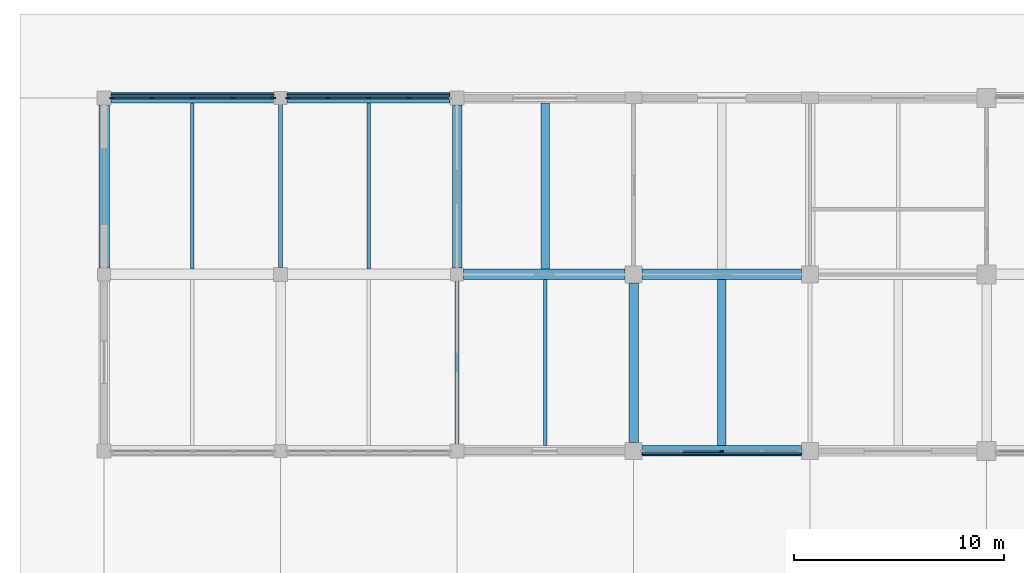
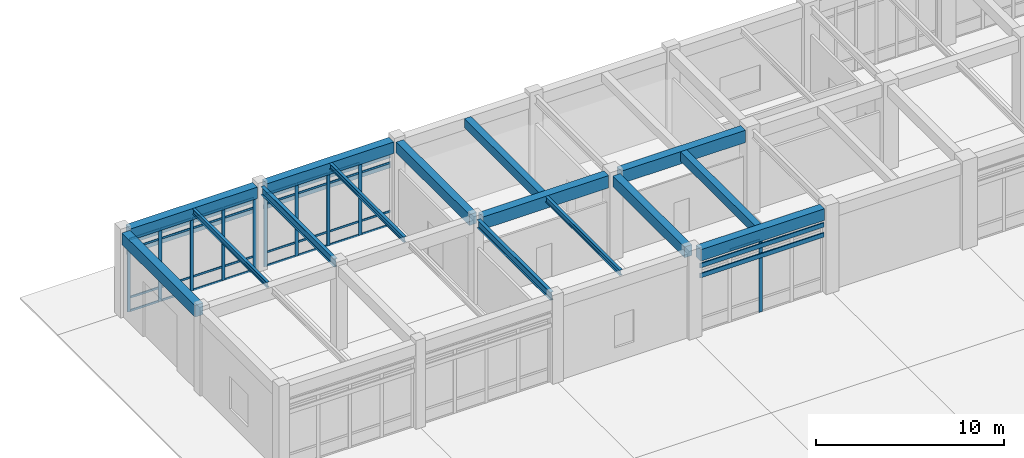
# One storey, part 20 of 91: 48 members, 15 beams, 3 elements without a shape of their own.
"""IFC4 building model written with IfcOpenShell, lengths in metres."""

from ifc_helpers import new_model, si_unit, direction, frame, origin, origin_2d, place, context, subcontext, project, spatial, rectangle, i_section, extrude, material, layer, layer_set, material_profile, profile_set, type_object, element, aggregate, save


model = new_model("IFC4")

# Units and contexts
model_context = context("Model", 3, precision=1e-05, world=origin(), true_north=direction((0.0, 1.0)))
body_context = subcontext(model_context, "Body", "Model", "MODEL_VIEW")
ifc_project = project(units=[si_unit("LENGTHUNIT", "METRE"), si_unit("AREAUNIT", "SQUARE_METRE"), si_unit("VOLUMEUNIT", "CUBIC_METRE"), si_unit("PLANEANGLEUNIT", "RADIAN"), si_unit("MASSUNIT", "GRAM", prefix="KILO")], contexts=[model_context])

# Site, building, storey
site_placement = place(None, origin())
site = spatial("IfcSite", under=ifc_project, at=site_placement, CompositionType="ELEMENT")
building_placement = place(site_placement, origin())
building = spatial("IfcBuilding", under=site, at=building_placement, Name="Porcellanite Civic Hall", CompositionType="ELEMENT")
storey_placement = place(building_placement, origin())
storey = spatial("IfcBuildingStorey", under=building, at=storey_placement, Name="L00", CompositionType="ELEMENT", Elevation=0.0)

# Beams
ifc_material_1 = material(Name="Concrete N50 (50 MPa)", Category="concrete")
ifc_material_profile_1 = material_profile(ifc_material_1, rectangle(XDim=0.39990234375, YDim=0.60009765625, at=origin_2d()), Name="RC-400x600")
ifc_profile_set_1 = profile_set([ifc_material_profile_1], Name="Concrete N50 (50 MPa)")
beam_type_1 = type_object("IfcBeamType", Name="BM-RC600", PredefinedType="JOIST", material=ifc_profile_set_1)
beam_1_placement = place(storey_placement, frame((21.0, 109.449462890625, 5.199951171875), z_axis=(0.0, 1.0, 0.0), x_axis=(-1.0, 0.0, 0.0)))
element("IfcBeam", 1, at=beam_1_placement, inside=storey, type_object=beam_type_1, Name="Secondary joist L00 3-14", PredefinedType="JOIST", context=body_context, shape_type="SweptSolid", body=[
    extrude(rectangle(XDim=0.39990234375, YDim=0.60009765625, at=origin_2d()), origin(), (0.0, 0.0, 1.0), 7.901123046875),
])
beam_2_placement = place(storey_placement, frame((29.39990234375, 101.049560546875, 5.199951171875), z_axis=(0.0, 1.0, 0.0), x_axis=(-1.0, 0.0, 0.0)))
element("IfcBeam", 2, at=beam_2_placement, inside=storey, type_object=beam_type_1, Name="Secondary joist L00 4-13", PredefinedType="JOIST", context=body_context, shape_type="SweptSolid", body=[
    extrude(rectangle(XDim=0.39990234375, YDim=0.60009765625, at=origin_2d()), origin(), (0.0, 0.0, 1.0), 7.90087890625),
])
ifc_material_2 = material(Name="Concrete N50 (50 MPa)", Category="concrete")
ifc_material_profile_2 = material_profile(ifc_material_2, rectangle(XDim=0.449951171875, YDim=0.699951171875, at=origin_2d()), Name="RC-450x700")
ifc_profile_set_2 = profile_set([ifc_material_profile_2], Name="Concrete N50 (50 MPa)")
beam_type_2 = type_object("IfcBeamType", Name="BM-RC700", PredefinedType="BEAM", material=ifc_profile_set_2)
beam_3_placement = place(storey_placement, frame((16.800048828125, 109.49951171875, 5.14990234375), z_axis=(0.0, 1.0, 0.0), x_axis=(-1.0, 0.0, 0.0)))
element("IfcBeam", 3, at=beam_3_placement, inside=storey, type_object=beam_type_2, Name="Beam Y L00 3-14", PredefinedType="BEAM", context=body_context, shape_type="SweptSolid", body=[
    extrude(rectangle(XDim=0.449951171875, YDim=0.699951171875, at=origin_2d()), origin(), (0.0, 0.0, 1.0), 7.77587890625),
])
beam_4_placement = place(storey_placement, frame((25.199951171875, 101.199462890625, 5.14990234375), z_axis=(0.0, 1.0, 0.0), x_axis=(-1.0, 0.0, 0.0)))
element("IfcBeam", 4, at=beam_4_placement, inside=storey, type_object=beam_type_2, Name="Beam Y L00 4-13", PredefinedType="BEAM", context=body_context, shape_type="SweptSolid", body=[
    extrude(rectangle(XDim=0.449951171875, YDim=0.699951171875, at=origin_2d()), origin(), (0.0, 0.0, 1.0), 7.60107421875),
])
ifc_material_3 = material(Name="Concrete N50 (50 MPa)", Category="concrete")
ifc_material_profile_3 = material_profile(ifc_material_3, rectangle(XDim=0.5, YDim=0.75, at=origin_2d()), Name="RC-500x750")
ifc_profile_set_3 = profile_set([ifc_material_profile_3], Name="Concrete N50 (50 MPa)")
beam_type_3 = type_object("IfcBeamType", Name="BM-RC750", PredefinedType="SPANDREL", material=ifc_profile_set_3)
for number, where, z_axis, x_axis, name in (
    (5, (0.324462890625, 117.60009765625, 5.125), (1.0, 0.0, 0.0), (0.0, 1.0, 0.0), "Beam X L00 1-15"),
    (6, (8.699462890625, 117.60009765625, 5.125), (1.0, 0.0, 0.0), (0.0, 1.0, 0.0), "Beam X L00 2-15"),
):
    element("IfcBeam", number, at=place(storey_placement, frame(where, z_axis=z_axis, x_axis=x_axis)), inside=storey, type_object=beam_type_3, Name=name, PredefinedType="SPANDREL", context=body_context, shape_type="SweptSolid", body=[
        extrude(rectangle(XDim=0.5, YDim=0.75, at=origin_2d()), origin(), (0.0, 0.0, 1.0), 7.776123046875),
    ])
beam_5_placement = place(storey_placement, frame((25.599609375, 100.800048828125, 5.125), z_axis=(1.0, 0.0, 0.0), x_axis=(0.0, 1.0, 0.0)))
element("IfcBeam", 7, at=beam_5_placement, inside=storey, type_object=beam_type_3, Name="Beam X L00 4-13", PredefinedType="SPANDREL", context=body_context, shape_type="SweptSolid", body=[
    extrude(rectangle(XDim=0.5, YDim=0.75, at=origin_2d()), origin(), (0.0, 0.0, 1.0), 7.600830078125),
])
beam_6_placement = place(storey_placement, frame((0.0, 109.49951171875, 5.125), z_axis=(0.0, 1.0, 0.0), x_axis=(-1.0, 0.0, 0.0)))
element("IfcBeam", 8, at=beam_6_placement, inside=storey, type_object=beam_type_3, Name="Beam Y L00 1-14", PredefinedType="SPANDREL", context=body_context, shape_type="SweptSolid", body=[
    extrude(rectangle(XDim=0.5, YDim=0.75, at=origin_2d()), origin(), (0.0, 0.0, 1.0), 7.77587890625),
])
ifc_material_4 = material(Name="Concrete N50 (50 MPa)", Category="concrete")
ifc_material_profile_4 = material_profile(ifc_material_4, rectangle(XDim=0.5, YDim=0.800048828125, at=origin_2d()), Name="RC-500x800")
ifc_profile_set_4 = profile_set([ifc_material_profile_4], Name="Concrete N50 (50 MPa)")
beam_type_4 = type_object("IfcBeamType", Name="BM-RC800", PredefinedType="BEAM", material=ifc_profile_set_4)
beam_7_placement = place(storey_placement, frame((17.099609375, 109.199951171875, 5.10009765625), z_axis=(1.0, 0.0, 0.0), x_axis=(0.0, 1.0, 0.0)))
element("IfcBeam", 9, at=beam_7_placement, inside=storey, type_object=beam_type_4, Name="Beam X L00 3-14", PredefinedType="BEAM", context=body_context, shape_type="SweptSolid", body=[
    extrude(rectangle(XDim=0.5, YDim=0.800048828125, at=origin_2d()), origin(), (0.0, 0.0, 1.0), 7.700927734375),
])
beam_8_placement = place(storey_placement, frame((25.599609375, 109.199951171875, 5.10009765625), z_axis=(1.0, 0.0, 0.0), x_axis=(0.0, 1.0, 0.0)))
element("IfcBeam", 10, at=beam_8_placement, inside=storey, type_object=beam_type_4, Name="Beam X L00 4-14", PredefinedType="BEAM", context=body_context, shape_type="SweptSolid", body=[
    extrude(rectangle(XDim=0.5, YDim=0.800048828125, at=origin_2d()), origin(), (0.0, 0.0, 1.0), 7.600830078125),
])

# Curtain wall, members
ifc_material_5 = material(Name="Anodised aluminium and solar laminated glass", Category="aluminium")
ifc_layer = layer(ifc_material_5, 0.179931640625)
ifc_layer_set = layer_set([ifc_layer], Name="Anodised aluminium and solar laminated glass")
curtain_wall_type = type_object("IfcCurtainWallType", Name="CW-SYS05", PredefinedType="NOTDEFINED", material=ifc_layer_set)
curtain_wall_1_placement = place(storey_placement, origin())
curtain_wall_1 = element("IfcCurtainWall", 11, at=curtain_wall_1_placement, inside=storey, type_object=curtain_wall_type, Name="Curtain wall CW-006", PredefinedType="NOTDEFINED")
ifc_material_6 = material(Name="Anodised aluminium 6063-T6", Category="aluminium")
ifc_material_profile_5 = material_profile(ifc_material_6, rectangle(XDim=0.070068359375, YDim=0.199951171875, at=origin_2d()), Name="AL-70x200")
ifc_profile_set_5 = profile_set([ifc_material_profile_5], Name="Anodised aluminium 6063-T6")
member_type_1 = type_object("IfcMemberType", Name="CWM-05", PredefinedType="MULLION", material=ifc_profile_set_5)
member_1_placement = place(storey_placement, frame((0.361083984375, 117.60009765625, 0.0), z_axis=(0.0, 0.0, 1.0), x_axis=(0.0, 1.0, 0.0)))
member_1 = element("IfcMember", 12, at=member_1_placement, type_object=member_type_1, Name="CW-006 mullion 1", PredefinedType="MULLION", context=body_context, shape_type="SweptSolid", body=[
    extrude(rectangle(XDim=0.070068359375, YDim=0.199951171875, at=origin_2d()), origin(), (0.0, 0.0, 1.0), 4.699951171875),
])
member_2_placement = place(storey_placement, frame((2.269287109375, 117.60009765625, 0.0), z_axis=(0.0, 0.0, 1.0), x_axis=(0.0, 1.0, 0.0)))
member_2 = element("IfcMember", 13, at=member_2_placement, type_object=member_type_1, Name="CW-006 mullion 2", PredefinedType="MULLION", context=body_context, shape_type="SweptSolid", body=[
    extrude(rectangle(XDim=0.070068359375, YDim=0.199951171875, at=origin_2d()), origin(), (0.0, 0.0, 1.0), 4.699951171875),
])
member_3_placement = place(storey_placement, frame((4.21240234375, 117.60009765625, 0.0), z_axis=(0.0, 0.0, 1.0), x_axis=(0.0, 1.0, 0.0)))
member_3 = element("IfcMember", 14, at=member_3_placement, type_object=member_type_1, Name="CW-006 mullion 3", PredefinedType="MULLION", context=body_context, shape_type="SweptSolid", body=[
    extrude(rectangle(XDim=0.070068359375, YDim=0.199951171875, at=origin_2d()), origin(), (0.0, 0.0, 1.0), 4.699951171875),
])
member_4_placement = place(storey_placement, frame((6.15576171875, 117.60009765625, 0.0), z_axis=(0.0, 0.0, 1.0), x_axis=(0.0, 1.0, 0.0)))
member_4 = element("IfcMember", 15, at=member_4_placement, type_object=member_type_1, Name="CW-006 mullion 4", PredefinedType="MULLION", context=body_context, shape_type="SweptSolid", body=[
    extrude(rectangle(XDim=0.070068359375, YDim=0.199951171875, at=origin_2d()), origin(), (0.0, 0.0, 1.0), 4.699951171875),
])
member_5_placement = place(storey_placement, frame((8.06396484375, 117.60009765625, 0.0), z_axis=(0.0, 0.0, 1.0), x_axis=(0.0, 1.0, 0.0)))
member_5 = element("IfcMember", 16, at=member_5_placement, type_object=member_type_1, Name="CW-006 mullion 5", PredefinedType="MULLION", context=body_context, shape_type="SweptSolid", body=[
    extrude(rectangle(XDim=0.070068359375, YDim=0.199951171875, at=origin_2d()), origin(), (0.0, 0.0, 1.0), 4.699951171875),
])

curtain_wall_2_placement = place(storey_placement, origin())
curtain_wall_2 = element("IfcCurtainWall", 17, at=curtain_wall_2_placement, inside=storey, type_object=curtain_wall_type, Name="Curtain wall CW-009", PredefinedType="NOTDEFINED")
member_6_placement = place(storey_placement, frame((8.736083984375, 117.60009765625, 0.0), z_axis=(0.0, 0.0, 1.0), x_axis=(0.0, 1.0, 0.0)))
member_6 = element("IfcMember", 18, at=member_6_placement, type_object=member_type_1, Name="CW-009 mullion 1", PredefinedType="MULLION", context=body_context, shape_type="SweptSolid", body=[
    extrude(rectangle(XDim=0.070068359375, YDim=0.199951171875, at=origin_2d()), origin(), (0.0, 0.0, 1.0), 4.699951171875),
])
member_7_placement = place(storey_placement, frame((10.644287109375, 117.60009765625, 0.0), z_axis=(0.0, 0.0, 1.0), x_axis=(0.0, 1.0, 0.0)))
member_7 = element("IfcMember", 19, at=member_7_placement, type_object=member_type_1, Name="CW-009 mullion 2", PredefinedType="MULLION", context=body_context, shape_type="SweptSolid", body=[
    extrude(rectangle(XDim=0.070068359375, YDim=0.199951171875, at=origin_2d()), origin(), (0.0, 0.0, 1.0), 4.699951171875),
])
member_8_placement = place(storey_placement, frame((12.58740234375, 117.60009765625, 0.0), z_axis=(0.0, 0.0, 1.0), x_axis=(0.0, 1.0, 0.0)))
member_8 = element("IfcMember", 20, at=member_8_placement, type_object=member_type_1, Name="CW-009 mullion 3", PredefinedType="MULLION", context=body_context, shape_type="SweptSolid", body=[
    extrude(rectangle(XDim=0.070068359375, YDim=0.199951171875, at=origin_2d()), origin(), (0.0, 0.0, 1.0), 4.699951171875),
])
member_9_placement = place(storey_placement, frame((14.53076171875, 117.60009765625, 0.0), z_axis=(0.0, 0.0, 1.0), x_axis=(0.0, 1.0, 0.0)))
member_9 = element("IfcMember", 21, at=member_9_placement, type_object=member_type_1, Name="CW-009 mullion 4", PredefinedType="MULLION", context=body_context, shape_type="SweptSolid", body=[
    extrude(rectangle(XDim=0.070068359375, YDim=0.199951171875, at=origin_2d()), origin(), (0.0, 0.0, 1.0), 4.699951171875),
])

# Curtain wall, member
curtain_wall_3_placement = place(storey_placement, origin())
curtain_wall_3 = element("IfcCurtainWall", 22, at=curtain_wall_3_placement, inside=storey, type_object=curtain_wall_type, Name="Curtain wall CW-013", PredefinedType="NOTDEFINED")
member_10_placement = place(storey_placement, frame((29.39990234375, 100.800048828125, 0.0), z_axis=(0.0, 0.0, 1.0), x_axis=(0.0, -1.0, 0.0)))
member_10 = element("IfcMember", 23, at=member_10_placement, type_object=member_type_1, Name="CW-013 mullion 3", PredefinedType="MULLION", context=body_context, shape_type="SweptSolid", body=[
    extrude(rectangle(XDim=0.070068359375, YDim=0.199951171875, at=origin_2d()), origin(), (0.0, 0.0, 1.0), 4.699951171875),
])

# Member
ifc_material_7 = material(Name="Anodised aluminium 6063-T6", Category="aluminium")
ifc_material_profile_6 = material_profile(ifc_material_7, rectangle(XDim=0.06005859375, YDim=0.1298828125, at=origin_2d()), Name="AL-60x130")
ifc_profile_set_6 = profile_set([ifc_material_profile_6], Name="Anodised aluminium 6063-T6")
member_type_2 = type_object("IfcMemberType", Name="CWT-03", PredefinedType="USERDEFINED", material=ifc_profile_set_6)
member_11_placement = place(storey_placement, frame((0.39599609375, 117.60009765625, 0.030029296875), z_axis=(1.0, 0.0, 0.0), x_axis=(0.0, 1.0, 0.0)))
member_11 = element("IfcMember", 24, at=member_11_placement, type_object=member_type_2, Name="CW-006 transom 1.1", ObjectType="TRANSOM", PredefinedType="USERDEFINED", context=body_context, shape_type="SweptSolid", body=[
    extrude(rectangle(XDim=0.06005859375, YDim=0.1298828125, at=origin_2d()), origin(), (0.0, 0.0, 1.0), 1.838134765625),
])

member_12_placement = place(storey_placement, frame((0.39599609375, 117.60009765625, 0.89990234375), z_axis=(1.0, 0.0, 0.0), x_axis=(0.0, 1.0, 0.0)))
member_12 = element("IfcMember", 25, at=member_12_placement, type_object=member_type_2, Name="CW-006 transom 1.2", ObjectType="TRANSOM", PredefinedType="USERDEFINED", context=body_context, shape_type="SweptSolid", body=[
    extrude(rectangle(XDim=0.06005859375, YDim=0.1298828125, at=origin_2d()), origin(), (0.0, 0.0, 1.0), 1.838134765625),
])

member_13_placement = place(storey_placement, frame((0.39599609375, 117.60009765625, 4.050048828125), z_axis=(1.0, 0.0, 0.0), x_axis=(0.0, 1.0, 0.0)))
member_13 = element("IfcMember", 26, at=member_13_placement, type_object=member_type_2, Name="CW-006 transom 1.3", ObjectType="TRANSOM", PredefinedType="USERDEFINED", context=body_context, shape_type="SweptSolid", body=[
    extrude(rectangle(XDim=0.06005859375, YDim=0.1298828125, at=origin_2d()), origin(), (0.0, 0.0, 1.0), 1.838134765625),
])

member_14_placement = place(storey_placement, frame((0.39599609375, 117.60009765625, 4.669921875), z_axis=(1.0, 0.0, 0.0), x_axis=(0.0, 1.0, 0.0)))
member_14 = element("IfcMember", 27, at=member_14_placement, type_object=member_type_2, Name="CW-006 transom 1.4", ObjectType="TRANSOM", PredefinedType="USERDEFINED", context=body_context, shape_type="SweptSolid", body=[
    extrude(rectangle(XDim=0.06005859375, YDim=0.1298828125, at=origin_2d()), origin(), (0.0, 0.0, 1.0), 1.838134765625),
])

member_15_placement = place(storey_placement, frame((2.30419921875, 117.60009765625, 0.030029296875), z_axis=(1.0, 0.0, 0.0), x_axis=(0.0, 1.0, 0.0)))
member_15 = element("IfcMember", 28, at=member_15_placement, type_object=member_type_2, Name="CW-006 transom 2.1", ObjectType="TRANSOM", PredefinedType="USERDEFINED", context=body_context, shape_type="SweptSolid", body=[
    extrude(rectangle(XDim=0.06005859375, YDim=0.1298828125, at=origin_2d()), origin(), (0.0, 0.0, 1.0), 1.873291015625),
])

member_16_placement = place(storey_placement, frame((2.30419921875, 117.60009765625, 0.89990234375), z_axis=(1.0, 0.0, 0.0), x_axis=(0.0, 1.0, 0.0)))
member_16 = element("IfcMember", 29, at=member_16_placement, type_object=member_type_2, Name="CW-006 transom 2.2", ObjectType="TRANSOM", PredefinedType="USERDEFINED", context=body_context, shape_type="SweptSolid", body=[
    extrude(rectangle(XDim=0.06005859375, YDim=0.1298828125, at=origin_2d()), origin(), (0.0, 0.0, 1.0), 1.873291015625),
])

member_17_placement = place(storey_placement, frame((2.30419921875, 117.60009765625, 4.050048828125), z_axis=(1.0, 0.0, 0.0), x_axis=(0.0, 1.0, 0.0)))
member_17 = element("IfcMember", 30, at=member_17_placement, type_object=member_type_2, Name="CW-006 transom 2.3", ObjectType="TRANSOM", PredefinedType="USERDEFINED", context=body_context, shape_type="SweptSolid", body=[
    extrude(rectangle(XDim=0.06005859375, YDim=0.1298828125, at=origin_2d()), origin(), (0.0, 0.0, 1.0), 1.873291015625),
])

member_18_placement = place(storey_placement, frame((2.30419921875, 117.60009765625, 4.669921875), z_axis=(1.0, 0.0, 0.0), x_axis=(0.0, 1.0, 0.0)))
member_18 = element("IfcMember", 31, at=member_18_placement, type_object=member_type_2, Name="CW-006 transom 2.4", ObjectType="TRANSOM", PredefinedType="USERDEFINED", context=body_context, shape_type="SweptSolid", body=[
    extrude(rectangle(XDim=0.06005859375, YDim=0.1298828125, at=origin_2d()), origin(), (0.0, 0.0, 1.0), 1.873291015625),
])

member_19_placement = place(storey_placement, frame((4.24755859375, 117.60009765625, 0.030029296875), z_axis=(1.0, 0.0, 0.0), x_axis=(0.0, 1.0, 0.0)))
member_19 = element("IfcMember", 32, at=member_19_placement, type_object=member_type_2, Name="CW-006 transom 3.1", ObjectType="TRANSOM", PredefinedType="USERDEFINED", context=body_context, shape_type="SweptSolid", body=[
    extrude(rectangle(XDim=0.06005859375, YDim=0.1298828125, at=origin_2d()), origin(), (0.0, 0.0, 1.0), 1.873291015625),
])

member_20_placement = place(storey_placement, frame((4.24755859375, 117.60009765625, 0.89990234375), z_axis=(1.0, 0.0, 0.0), x_axis=(0.0, 1.0, 0.0)))
member_20 = element("IfcMember", 33, at=member_20_placement, type_object=member_type_2, Name="CW-006 transom 3.2", ObjectType="TRANSOM", PredefinedType="USERDEFINED", context=body_context, shape_type="SweptSolid", body=[
    extrude(rectangle(XDim=0.06005859375, YDim=0.1298828125, at=origin_2d()), origin(), (0.0, 0.0, 1.0), 1.873291015625),
])

member_21_placement = place(storey_placement, frame((4.24755859375, 117.60009765625, 4.050048828125), z_axis=(1.0, 0.0, 0.0), x_axis=(0.0, 1.0, 0.0)))
member_21 = element("IfcMember", 34, at=member_21_placement, type_object=member_type_2, Name="CW-006 transom 3.3", ObjectType="TRANSOM", PredefinedType="USERDEFINED", context=body_context, shape_type="SweptSolid", body=[
    extrude(rectangle(XDim=0.06005859375, YDim=0.1298828125, at=origin_2d()), origin(), (0.0, 0.0, 1.0), 1.873291015625),
])

member_22_placement = place(storey_placement, frame((4.24755859375, 117.60009765625, 4.669921875), z_axis=(1.0, 0.0, 0.0), x_axis=(0.0, 1.0, 0.0)))
member_22 = element("IfcMember", 35, at=member_22_placement, type_object=member_type_2, Name="CW-006 transom 3.4", ObjectType="TRANSOM", PredefinedType="USERDEFINED", context=body_context, shape_type="SweptSolid", body=[
    extrude(rectangle(XDim=0.06005859375, YDim=0.1298828125, at=origin_2d()), origin(), (0.0, 0.0, 1.0), 1.873291015625),
])

member_23_placement = place(storey_placement, frame((6.190673828125, 117.60009765625, 0.030029296875), z_axis=(1.0, 0.0, 0.0), x_axis=(0.0, 1.0, 0.0)))
member_23 = element("IfcMember", 36, at=member_23_placement, type_object=member_type_2, Name="CW-006 transom 4.1", ObjectType="TRANSOM", PredefinedType="USERDEFINED", context=body_context, shape_type="SweptSolid", body=[
    extrude(rectangle(XDim=0.06005859375, YDim=0.1298828125, at=origin_2d()), origin(), (0.0, 0.0, 1.0), 1.83837890625),
])

member_24_placement = place(storey_placement, frame((6.190673828125, 117.60009765625, 0.89990234375), z_axis=(1.0, 0.0, 0.0), x_axis=(0.0, 1.0, 0.0)))
member_24 = element("IfcMember", 37, at=member_24_placement, type_object=member_type_2, Name="CW-006 transom 4.2", ObjectType="TRANSOM", PredefinedType="USERDEFINED", context=body_context, shape_type="SweptSolid", body=[
    extrude(rectangle(XDim=0.06005859375, YDim=0.1298828125, at=origin_2d()), origin(), (0.0, 0.0, 1.0), 1.83837890625),
])

member_25_placement = place(storey_placement, frame((6.190673828125, 117.60009765625, 4.050048828125), z_axis=(1.0, 0.0, 0.0), x_axis=(0.0, 1.0, 0.0)))
member_25 = element("IfcMember", 38, at=member_25_placement, type_object=member_type_2, Name="CW-006 transom 4.3", ObjectType="TRANSOM", PredefinedType="USERDEFINED", context=body_context, shape_type="SweptSolid", body=[
    extrude(rectangle(XDim=0.06005859375, YDim=0.1298828125, at=origin_2d()), origin(), (0.0, 0.0, 1.0), 1.83837890625),
])

member_26_placement = place(storey_placement, frame((6.190673828125, 117.60009765625, 4.669921875), z_axis=(1.0, 0.0, 0.0), x_axis=(0.0, 1.0, 0.0)))
member_26 = element("IfcMember", 39, at=member_26_placement, type_object=member_type_2, Name="CW-006 transom 4.4", ObjectType="TRANSOM", PredefinedType="USERDEFINED", context=body_context, shape_type="SweptSolid", body=[
    extrude(rectangle(XDim=0.06005859375, YDim=0.1298828125, at=origin_2d()), origin(), (0.0, 0.0, 1.0), 1.83837890625),
])

aggregate(curtain_wall_1, [member_1, member_2, member_3, member_4, member_5, member_11, member_12, member_13, member_14, member_15, member_16, member_17, member_18, member_19, member_20, member_21, member_22, member_23, member_24, member_25, member_26])

member_27_placement = place(storey_placement, frame((8.77099609375, 117.60009765625, 0.030029296875), z_axis=(1.0, 0.0, 0.0), x_axis=(0.0, 1.0, 0.0)))
member_27 = element("IfcMember", 40, at=member_27_placement, type_object=member_type_2, Name="CW-009 transom 1.1", ObjectType="TRANSOM", PredefinedType="USERDEFINED", context=body_context, shape_type="SweptSolid", body=[
    extrude(rectangle(XDim=0.06005859375, YDim=0.1298828125, at=origin_2d()), origin(), (0.0, 0.0, 1.0), 1.838134765625),
])

member_28_placement = place(storey_placement, frame((8.77099609375, 117.60009765625, 0.89990234375), z_axis=(1.0, 0.0, 0.0), x_axis=(0.0, 1.0, 0.0)))
member_28 = element("IfcMember", 41, at=member_28_placement, type_object=member_type_2, Name="CW-009 transom 1.2", ObjectType="TRANSOM", PredefinedType="USERDEFINED", context=body_context, shape_type="SweptSolid", body=[
    extrude(rectangle(XDim=0.06005859375, YDim=0.1298828125, at=origin_2d()), origin(), (0.0, 0.0, 1.0), 1.838134765625),
])

member_29_placement = place(storey_placement, frame((8.77099609375, 117.60009765625, 4.050048828125), z_axis=(1.0, 0.0, 0.0), x_axis=(0.0, 1.0, 0.0)))
member_29 = element("IfcMember", 42, at=member_29_placement, type_object=member_type_2, Name="CW-009 transom 1.3", ObjectType="TRANSOM", PredefinedType="USERDEFINED", context=body_context, shape_type="SweptSolid", body=[
    extrude(rectangle(XDim=0.06005859375, YDim=0.1298828125, at=origin_2d()), origin(), (0.0, 0.0, 1.0), 1.838134765625),
])

member_30_placement = place(storey_placement, frame((8.77099609375, 117.60009765625, 4.669921875), z_axis=(1.0, 0.0, 0.0), x_axis=(0.0, 1.0, 0.0)))
member_30 = element("IfcMember", 43, at=member_30_placement, type_object=member_type_2, Name="CW-009 transom 1.4", ObjectType="TRANSOM", PredefinedType="USERDEFINED", context=body_context, shape_type="SweptSolid", body=[
    extrude(rectangle(XDim=0.06005859375, YDim=0.1298828125, at=origin_2d()), origin(), (0.0, 0.0, 1.0), 1.838134765625),
])

member_31_placement = place(storey_placement, frame((10.67919921875, 117.60009765625, 0.030029296875), z_axis=(1.0, 0.0, 0.0), x_axis=(0.0, 1.0, 0.0)))
member_31 = element("IfcMember", 44, at=member_31_placement, type_object=member_type_2, Name="CW-009 transom 2.1", ObjectType="TRANSOM", PredefinedType="USERDEFINED", context=body_context, shape_type="SweptSolid", body=[
    extrude(rectangle(XDim=0.06005859375, YDim=0.1298828125, at=origin_2d()), origin(), (0.0, 0.0, 1.0), 1.873291015625),
])

member_32_placement = place(storey_placement, frame((10.67919921875, 117.60009765625, 0.89990234375), z_axis=(1.0, 0.0, 0.0), x_axis=(0.0, 1.0, 0.0)))
member_32 = element("IfcMember", 45, at=member_32_placement, type_object=member_type_2, Name="CW-009 transom 2.2", ObjectType="TRANSOM", PredefinedType="USERDEFINED", context=body_context, shape_type="SweptSolid", body=[
    extrude(rectangle(XDim=0.06005859375, YDim=0.1298828125, at=origin_2d()), origin(), (0.0, 0.0, 1.0), 1.873291015625),
])

member_33_placement = place(storey_placement, frame((10.67919921875, 117.60009765625, 4.050048828125), z_axis=(1.0, 0.0, 0.0), x_axis=(0.0, 1.0, 0.0)))
member_33 = element("IfcMember", 46, at=member_33_placement, type_object=member_type_2, Name="CW-009 transom 2.3", ObjectType="TRANSOM", PredefinedType="USERDEFINED", context=body_context, shape_type="SweptSolid", body=[
    extrude(rectangle(XDim=0.06005859375, YDim=0.1298828125, at=origin_2d()), origin(), (0.0, 0.0, 1.0), 1.873291015625),
])

member_34_placement = place(storey_placement, frame((10.67919921875, 117.60009765625, 4.669921875), z_axis=(1.0, 0.0, 0.0), x_axis=(0.0, 1.0, 0.0)))
member_34 = element("IfcMember", 47, at=member_34_placement, type_object=member_type_2, Name="CW-009 transom 2.4", ObjectType="TRANSOM", PredefinedType="USERDEFINED", context=body_context, shape_type="SweptSolid", body=[
    extrude(rectangle(XDim=0.06005859375, YDim=0.1298828125, at=origin_2d()), origin(), (0.0, 0.0, 1.0), 1.873291015625),
])

member_35_placement = place(storey_placement, frame((12.62255859375, 117.60009765625, 0.030029296875), z_axis=(1.0, 0.0, 0.0), x_axis=(0.0, 1.0, 0.0)))
member_35 = element("IfcMember", 48, at=member_35_placement, type_object=member_type_2, Name="CW-009 transom 3.1", ObjectType="TRANSOM", PredefinedType="USERDEFINED", context=body_context, shape_type="SweptSolid", body=[
    extrude(rectangle(XDim=0.06005859375, YDim=0.1298828125, at=origin_2d()), origin(), (0.0, 0.0, 1.0), 1.873291015625),
])

member_36_placement = place(storey_placement, frame((12.62255859375, 117.60009765625, 0.89990234375), z_axis=(1.0, 0.0, 0.0), x_axis=(0.0, 1.0, 0.0)))
member_36 = element("IfcMember", 49, at=member_36_placement, type_object=member_type_2, Name="CW-009 transom 3.2", ObjectType="TRANSOM", PredefinedType="USERDEFINED", context=body_context, shape_type="SweptSolid", body=[
    extrude(rectangle(XDim=0.06005859375, YDim=0.1298828125, at=origin_2d()), origin(), (0.0, 0.0, 1.0), 1.873291015625),
])

member_37_placement = place(storey_placement, frame((12.62255859375, 117.60009765625, 4.050048828125), z_axis=(1.0, 0.0, 0.0), x_axis=(0.0, 1.0, 0.0)))
member_37 = element("IfcMember", 50, at=member_37_placement, type_object=member_type_2, Name="CW-009 transom 3.3", ObjectType="TRANSOM", PredefinedType="USERDEFINED", context=body_context, shape_type="SweptSolid", body=[
    extrude(rectangle(XDim=0.06005859375, YDim=0.1298828125, at=origin_2d()), origin(), (0.0, 0.0, 1.0), 1.873291015625),
])

member_38_placement = place(storey_placement, frame((12.62255859375, 117.60009765625, 4.669921875), z_axis=(1.0, 0.0, 0.0), x_axis=(0.0, 1.0, 0.0)))
member_38 = element("IfcMember", 51, at=member_38_placement, type_object=member_type_2, Name="CW-009 transom 3.4", ObjectType="TRANSOM", PredefinedType="USERDEFINED", context=body_context, shape_type="SweptSolid", body=[
    extrude(rectangle(XDim=0.06005859375, YDim=0.1298828125, at=origin_2d()), origin(), (0.0, 0.0, 1.0), 1.873291015625),
])

member_39_placement = place(storey_placement, frame((14.565673828125, 117.60009765625, 0.030029296875), z_axis=(1.0, 0.0, 0.0), x_axis=(0.0, 1.0, 0.0)))
member_39 = element("IfcMember", 52, at=member_39_placement, type_object=member_type_2, Name="CW-009 transom 4.1", ObjectType="TRANSOM", PredefinedType="USERDEFINED", context=body_context, shape_type="SweptSolid", body=[
    extrude(rectangle(XDim=0.06005859375, YDim=0.1298828125, at=origin_2d()), origin(), (0.0, 0.0, 1.0), 1.83837890625),
])

member_40_placement = place(storey_placement, frame((14.565673828125, 117.60009765625, 0.89990234375), z_axis=(1.0, 0.0, 0.0), x_axis=(0.0, 1.0, 0.0)))
member_40 = element("IfcMember", 53, at=member_40_placement, type_object=member_type_2, Name="CW-009 transom 4.2", ObjectType="TRANSOM", PredefinedType="USERDEFINED", context=body_context, shape_type="SweptSolid", body=[
    extrude(rectangle(XDim=0.06005859375, YDim=0.1298828125, at=origin_2d()), origin(), (0.0, 0.0, 1.0), 1.83837890625),
])

member_41_placement = place(storey_placement, frame((14.565673828125, 117.60009765625, 4.050048828125), z_axis=(1.0, 0.0, 0.0), x_axis=(0.0, 1.0, 0.0)))
member_41 = element("IfcMember", 54, at=member_41_placement, type_object=member_type_2, Name="CW-009 transom 4.3", ObjectType="TRANSOM", PredefinedType="USERDEFINED", context=body_context, shape_type="SweptSolid", body=[
    extrude(rectangle(XDim=0.06005859375, YDim=0.1298828125, at=origin_2d()), origin(), (0.0, 0.0, 1.0), 1.83837890625),
])

aggregate(curtain_wall_2, [member_6, member_7, member_8, member_9, member_27, member_28, member_29, member_30, member_31, member_32, member_33, member_34, member_35, member_36, member_37, member_38, member_39, member_40, member_41])

member_42_placement = place(storey_placement, frame((29.364990234375, 100.800048828125, 4.669921875), z_axis=(-1.0, 0.0, 0.0), x_axis=(0.0, -1.0, 0.0)))
member_42 = element("IfcMember", 55, at=member_42_placement, type_object=member_type_2, Name="CW-013 transom 3.4", ObjectType="TRANSOM", PredefinedType="USERDEFINED", context=body_context, shape_type="SweptSolid", body=[
    extrude(rectangle(XDim=0.06005859375, YDim=0.1298828125, at=origin_2d()), origin(), (0.0, 0.0, 1.0), 1.82958984375),
])

aggregate(curtain_wall_3, [member_10, member_42])

# Beams
ifc_material_8 = material(Name="Steel Grade 350", Category="steel")
ifc_material_profile_7 = material_profile(ifc_material_8, i_section(OverallWidth=0.1708984375, OverallDepth=0.35595703125, WebThickness=0.00732421875, FlangeThickness=0.011474609375, FilletRadius=0.011474609375, at=origin_2d()), Name="360UB50.7")
ifc_profile_set_7 = profile_set([ifc_material_profile_7], Name="Steel Grade 350")
beam_type_5 = type_object("IfcBeamType", Name="JST-360UB51", PredefinedType="JOIST", material=ifc_profile_set_7)
beam_9_placement = place(storey_placement, frame((12.60009765625, 109.449462890625, 5.322021484375), z_axis=(0.0, 1.0, 0.0), x_axis=(-1.0, 0.0, 0.0)))
element("IfcBeam", 56, at=beam_9_placement, inside=storey, type_object=beam_type_5, Name="Secondary joist L00 2-14", PredefinedType="JOIST", context=body_context, shape_type="SweptSolid", body=[
    extrude(i_section(OverallWidth=0.1708984375, OverallDepth=0.35595703125, WebThickness=0.00732421875, FlangeThickness=0.011474609375, FilletRadius=0.011474609375, at=origin_2d()), origin(), (0.0, 0.0, 1.0), 7.901123046875),
])
beam_10_placement = place(storey_placement, frame((21.0, 101.049560546875, 5.322021484375), z_axis=(0.0, 1.0, 0.0), x_axis=(-1.0, 0.0, 0.0)))
element("IfcBeam", 57, at=beam_10_placement, inside=storey, type_object=beam_type_5, Name="Secondary joist L00 3-13", PredefinedType="JOIST", context=body_context, shape_type="SweptSolid", body=[
    extrude(i_section(OverallWidth=0.1708984375, OverallDepth=0.35595703125, WebThickness=0.00732421875, FlangeThickness=0.011474609375, FilletRadius=0.011474609375, at=origin_2d()), origin(), (0.0, 0.0, 1.0), 7.90087890625),
])
ifc_material_9 = material(Name="Steel Grade 350", Category="steel")
ifc_material_profile_8 = material_profile(ifc_material_9, i_section(OverallWidth=0.172119140625, OverallDepth=0.35888671875, WebThickness=0.008056640625, FlangeThickness=0.012939453125, FilletRadius=0.011474609375, at=origin_2d()), Name="360UB56.7")
ifc_profile_set_8 = profile_set([ifc_material_profile_8], Name="Steel Grade 350")
beam_type_6 = type_object("IfcBeamType", Name="JST-360UB57", PredefinedType="JOIST", material=ifc_profile_set_8)
beam_11_placement = place(storey_placement, frame((4.199951171875, 109.449462890625, 5.320556640625), z_axis=(0.0, 1.0, 0.0), x_axis=(-1.0, 0.0, 0.0)))
element("IfcBeam", 58, at=beam_11_placement, inside=storey, type_object=beam_type_6, Name="Secondary joist L00 1-14", PredefinedType="JOIST", context=body_context, shape_type="SweptSolid", body=[
    extrude(i_section(OverallWidth=0.172119140625, OverallDepth=0.35888671875, WebThickness=0.008056640625, FlangeThickness=0.012939453125, FilletRadius=0.011474609375, at=origin_2d()), origin(), (0.0, 0.0, 1.0), 7.901123046875),
])

# Members
ifc_material_10 = material(Name="Fluoropolymer bauxite-red aluminium 6063-T6", Category="aluminium")
ifc_material_profile_9 = material_profile(ifc_material_10, rectangle(XDim=0.070068359375, YDim=0.280029296875, at=origin_2d()), Name="AL-70x280")
ifc_profile_set_9 = profile_set([ifc_material_profile_9], Name="Fluoropolymer bauxite-red aluminium 6063-T6")
member_type_3 = type_object("IfcMemberType", Name="LV-BLD05", PredefinedType="USERDEFINED", material=ifc_profile_set_9)
for number, where, z_axis, x_axis, name in (
    (59, (0.324462890625, 117.737060546875, 4.39990234375), (1.0, 0.0, 0.0), (0.0, 1.0, 0.0), "Cyclone sunshade louvre L00 N 0-13 1"),
    (60, (0.324462890625, 117.737060546875, 3.75), (1.0, 0.0, 0.0), (0.0, 1.0, 0.0), "Cyclone sunshade louvre L00 N 0-13 2"),
    (61, (8.699462890625, 117.737060546875, 4.39990234375), (1.0, 0.0, 0.0), (0.0, 1.0, 0.0), "Cyclone sunshade louvre L00 N 1-13 1"),
    (62, (8.699462890625, 117.737060546875, 3.75), (1.0, 0.0, 0.0), (0.0, 1.0, 0.0), "Cyclone sunshade louvre L00 N 1-13 2"),
):
    element("IfcMember", number, at=place(storey_placement, frame(where, z_axis=z_axis, x_axis=x_axis)), inside=storey, type_object=member_type_3, Name=name, ObjectType="LOUVRE BLADE", PredefinedType="USERDEFINED", context=body_context, shape_type="SweptSolid", body=[
        extrude(rectangle(XDim=0.070068359375, YDim=0.280029296875, at=origin_2d()), origin(), (0.0, 0.0, 1.0), 7.776123046875),
    ])
for number, where, z_axis, x_axis, name in (
    (63, (33.200439453125, 100.6630859375, 4.39990234375), (-1.0, 0.0, 0.0), (0.0, -1.0, 0.0), "Cyclone sunshade louvre L00 S 3-12 1"),
    (64, (33.200439453125, 100.6630859375, 3.75), (-1.0, 0.0, 0.0), (0.0, -1.0, 0.0), "Cyclone sunshade louvre L00 S 3-12 2"),
):
    element("IfcMember", number, at=place(storey_placement, frame(where, z_axis=z_axis, x_axis=x_axis)), inside=storey, type_object=member_type_3, Name=name, ObjectType="LOUVRE BLADE", PredefinedType="USERDEFINED", context=body_context, shape_type="SweptSolid", body=[
        extrude(rectangle(XDim=0.070068359375, YDim=0.280029296875, at=origin_2d()), origin(), (0.0, 0.0, 1.0), 7.600830078125),
    ])

# Beams
ifc_material_11 = material(Name="Steel Grade 350", Category="steel")
ifc_material_profile_10 = material_profile(ifc_material_11, i_section(OverallWidth=0.208984375, OverallDepth=0.528076171875, WebThickness=0.009521484375, FlangeThickness=0.01318359375, FilletRadius=0.013916015625, at=origin_2d()), Name="530UB82.0")
ifc_profile_set_10 = profile_set([ifc_material_profile_10], Name="Steel Grade 350")
beam_type_7 = type_object("IfcBeamType", Name="RAF-530UB82", PredefinedType="BEAM", material=ifc_profile_set_10)
beam_12_placement = place(storey_placement, frame((8.39990234375, 109.5244140625, 5.236083984375), z_axis=(0.0, 1.0, 0.0), x_axis=(-1.0, 0.0, 0.0)))
element("IfcBeam", 65, at=beam_12_placement, inside=storey, type_object=beam_type_7, Name="Beam Y L00 2-14", PredefinedType="BEAM", context=body_context, shape_type="SweptSolid", body=[
    extrude(i_section(OverallWidth=0.208984375, OverallDepth=0.528076171875, WebThickness=0.009521484375, FlangeThickness=0.01318359375, FilletRadius=0.013916015625, at=origin_2d()), origin(), (0.0, 0.0, 1.0), 7.776123046875),
])
beam_13_placement = place(storey_placement, frame((16.800048828125, 101.12451171875, 5.236083984375), z_axis=(0.0, 1.0, 0.0), x_axis=(-1.0, 0.0, 0.0)))
element("IfcBeam", 66, at=beam_13_placement, inside=storey, type_object=beam_type_7, Name="Beam Y L00 3-13", PredefinedType="BEAM", context=body_context, shape_type="SweptSolid", body=[
    extrude(i_section(OverallWidth=0.208984375, OverallDepth=0.528076171875, WebThickness=0.009521484375, FlangeThickness=0.01318359375, FilletRadius=0.013916015625, at=origin_2d()), origin(), (0.0, 0.0, 1.0), 7.77587890625),
])

save(model, "model.ifc")
